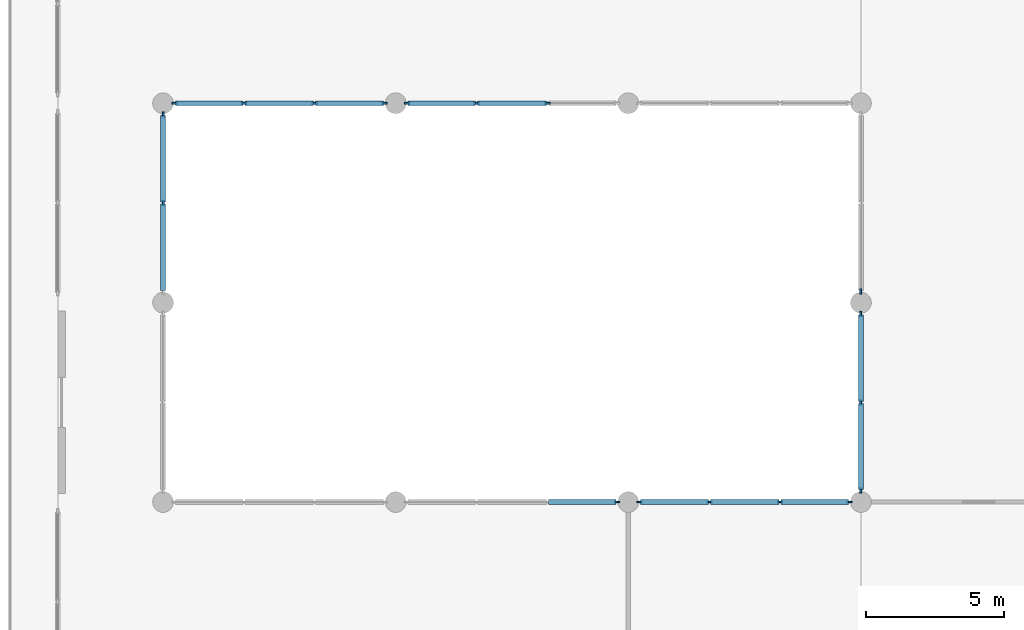
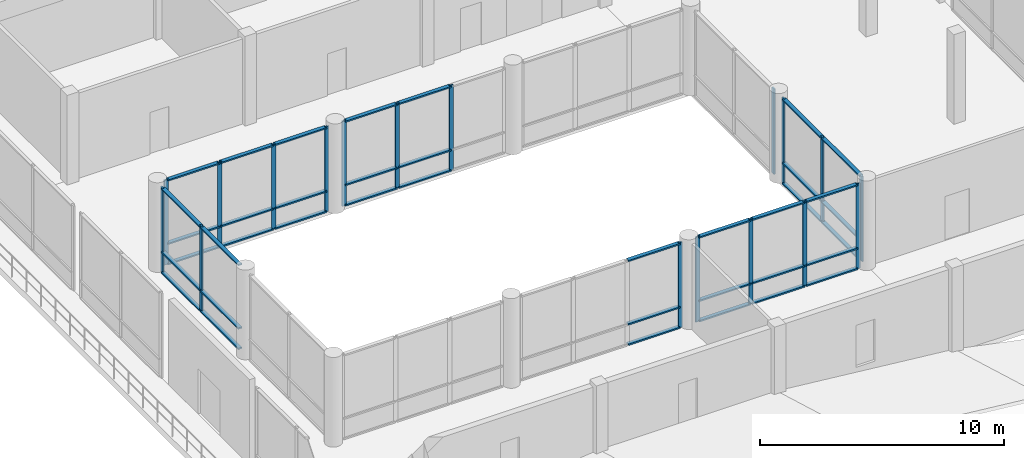
# One storey, part 3 of 17: 57 members, 7 elements without a shape of their own.
"""IFC4 building model written with IfcOpenShell, lengths in metres."""

from ifc_helpers import new_model, si_unit, direction, frame, origin, origin_2d, place, context, subcontext, project, spatial, rectangle, extrude, material, material_profile, profile_set, type_object, element, aggregate, save


model = new_model("IFC4")

# Units and contexts
model_context = context("Model", 3, precision=1e-05, world=origin(), true_north=direction((0.0, 1.0)))
body_context = subcontext(model_context, "Body", "Model", "MODEL_VIEW")
ifc_project = project(units=[si_unit("LENGTHUNIT", "METRE"), si_unit("AREAUNIT", "SQUARE_METRE"), si_unit("VOLUMEUNIT", "CUBIC_METRE"), si_unit("PLANEANGLEUNIT", "RADIAN"), si_unit("MASSUNIT", "GRAM", prefix="KILO")], contexts=[model_context])

# Site, building, storey
site_placement = place(None, origin())
site = spatial("IfcSite", under=ifc_project, at=site_placement, CompositionType="ELEMENT")
building_placement = place(site_placement, origin())
building = spatial("IfcBuilding", under=site, at=building_placement, Name="Kenerak Square Central Library", CompositionType="ELEMENT")
storey_placement = place(building_placement, frame((0.0, 0.0, 23.360107421875)))
storey = spatial("IfcBuildingStorey", under=building, at=storey_placement, Name="L05", CompositionType="ELEMENT", Elevation=23.360107421875)

# Curtain wall, member
ifc_material_1 = material(Name="Intumescent fire-resisting glazing EI 60", Category="glass")
curtain_wall_type_1 = type_object("IfcCurtainWallType", Name="Curtain Wall CW-AT60-76x42 7650x4255", PredefinedType="USERDEFINED", material=ifc_material_1)
curtain_wall_1_placement = place(storey_placement, origin())
curtain_wall_1 = element("IfcCurtainWall", 1, at=curtain_wall_1_placement, inside=storey, type_object=curtain_wall_type_1, Name="Atrium Fire-Rated Glazed Screen CW-AT60-76x42 L05 0188", ObjectType="CURTAIN WALL", PredefinedType="USERDEFINED")
ifc_material_2 = material(Name="Anodised aluminium 6063-T6", Category="aluminium")
ifc_material_profile_1 = material_profile(ifc_material_2, rectangle(XDim=0.070068359375, YDim=0.199951171875, at=origin_2d()), Name="AL MULLION 70x200")
ifc_profile_set_1 = profile_set([ifc_material_profile_1], Name="Anodised aluminium 6063-T6")
member_type_1 = type_object("IfcMemberType", Name="Fire-Rated Glazing Mullion CM-05 70x200", PredefinedType="MULLION", material=ifc_profile_set_1)
member_1_placement = place(storey_placement, frame((91.590087890625, 60.0, 0.0), z_axis=(0.0, 0.0, 1.0), x_axis=(0.0, 1.0, 0.0)))
member_1 = element("IfcMember", 2, at=member_1_placement, type_object=member_type_1, Name="CW-AT60-76x42 Mullion 4", PredefinedType="MULLION", context=body_context, shape_type="SweptSolid", body=[
    extrude(rectangle(XDim=0.070068359375, YDim=0.199951171875, at=origin_2d()), origin(), (0.0, 0.0, 1.0), 4.2548828125),
])

# Curtain wall, members
curtain_wall_2_placement = place(storey_placement, origin())
curtain_wall_2 = element("IfcCurtainWall", 3, at=curtain_wall_2_placement, inside=storey, type_object=curtain_wall_type_1, Name="Atrium Fire-Rated Glazed Screen CW-AT60-76x42 L05 0189", ObjectType="CURTAIN WALL", PredefinedType="USERDEFINED")
member_2_placement = place(storey_placement, frame((92.409912109375, 60.0, 0.0), z_axis=(0.0, 0.0, 1.0), x_axis=(0.0, 1.0, 0.0)))
member_2 = element("IfcMember", 4, at=member_2_placement, type_object=member_type_1, Name="CW-AT60-76x42 Mullion 1", PredefinedType="MULLION", context=body_context, shape_type="SweptSolid", body=[
    extrude(rectangle(XDim=0.070068359375, YDim=0.199951171875, at=origin_2d()), origin(), (0.0, 0.0, 1.0), 4.2548828125),
])
member_3_placement = place(storey_placement, frame((94.925048828125, 60.0, 0.0), z_axis=(0.0, 0.0, 1.0), x_axis=(0.0, 1.0, 0.0)))
member_3 = element("IfcMember", 5, at=member_3_placement, type_object=member_type_1, Name="CW-AT60-76x42 Mullion 2", PredefinedType="MULLION", context=body_context, shape_type="SweptSolid", body=[
    extrude(rectangle(XDim=0.070068359375, YDim=0.199951171875, at=origin_2d()), origin(), (0.0, 0.0, 1.0), 4.2548828125),
])
member_4_placement = place(storey_placement, frame((97.47509765625, 60.0, 0.0), z_axis=(0.0, 0.0, 1.0), x_axis=(0.0, 1.0, 0.0)))
member_4 = element("IfcMember", 6, at=member_4_placement, type_object=member_type_1, Name="CW-AT60-76x42 Mullion 3", PredefinedType="MULLION", context=body_context, shape_type="SweptSolid", body=[
    extrude(rectangle(XDim=0.070068359375, YDim=0.199951171875, at=origin_2d()), origin(), (0.0, 0.0, 1.0), 4.2548828125),
])
member_5_placement = place(storey_placement, frame((99.989990234375, 60.0, 0.0), z_axis=(0.0, 0.0, 1.0), x_axis=(0.0, 1.0, 0.0)))
member_5 = element("IfcMember", 7, at=member_5_placement, type_object=member_type_1, Name="CW-AT60-76x42 Mullion 4", PredefinedType="MULLION", context=body_context, shape_type="SweptSolid", body=[
    extrude(rectangle(XDim=0.070068359375, YDim=0.199951171875, at=origin_2d()), origin(), (0.0, 0.0, 1.0), 4.2548828125),
])

curtain_wall_type_2 = type_object("IfcCurtainWallType", Name="Curtain Wall CW-AT60-64x42 6450x4255", PredefinedType="USERDEFINED", material=ifc_material_1)
curtain_wall_3_placement = place(storey_placement, origin())
curtain_wall_3 = element("IfcCurtainWall", 8, at=curtain_wall_3_placement, inside=storey, type_object=curtain_wall_type_2, Name="Atrium Fire-Rated Glazed Screen CW-AT60-64x42 L05 0190", ObjectType="CURTAIN WALL", PredefinedType="USERDEFINED")
member_6_placement = place(storey_placement, frame((100.39990234375, 60.409912109375, 0.0), z_axis=(0.0, 0.0, 1.0), x_axis=(-1.0, 0.0, 0.0)))
member_6 = element("IfcMember", 9, at=member_6_placement, type_object=member_type_1, Name="CW-AT60-64x42 Mullion 1", PredefinedType="MULLION", context=body_context, shape_type="SweptSolid", body=[
    extrude(rectangle(XDim=0.070068359375, YDim=0.199951171875, at=origin_2d()), origin(), (0.0, 0.0, 1.0), 4.2548828125),
])
member_7_placement = place(storey_placement, frame((100.39990234375, 63.60009765625, 0.0), z_axis=(0.0, 0.0, 1.0), x_axis=(-1.0, 0.0, 0.0)))
member_7 = element("IfcMember", 10, at=member_7_placement, type_object=member_type_1, Name="CW-AT60-64x42 Mullion 2", PredefinedType="MULLION", context=body_context, shape_type="SweptSolid", body=[
    extrude(rectangle(XDim=0.070068359375, YDim=0.199951171875, at=origin_2d()), origin(), (0.0, 0.0, 1.0), 4.2548828125),
])
member_8_placement = place(storey_placement, frame((100.39990234375, 66.7900390625, 0.0), z_axis=(0.0, 0.0, 1.0), x_axis=(-1.0, 0.0, 0.0)))
member_8 = element("IfcMember", 11, at=member_8_placement, type_object=member_type_1, Name="CW-AT60-64x42 Mullion 3", PredefinedType="MULLION", context=body_context, shape_type="SweptSolid", body=[
    extrude(rectangle(XDim=0.070068359375, YDim=0.199951171875, at=origin_2d()), origin(), (0.0, 0.0, 1.0), 4.2548828125),
])

# Curtain wall, member
curtain_wall_4_placement = place(storey_placement, origin())
curtain_wall_4 = element("IfcCurtainWall", 12, at=curtain_wall_4_placement, inside=storey, type_object=curtain_wall_type_2, Name="Atrium Fire-Rated Glazed Screen CW-AT60-64x42 L05 0191", ObjectType="CURTAIN WALL", PredefinedType="USERDEFINED")
member_9_placement = place(storey_placement, frame((100.39990234375, 67.610107421875, 0.0), z_axis=(0.0, 0.0, 1.0), x_axis=(-1.0, 0.0, 0.0)))
member_9 = element("IfcMember", 13, at=member_9_placement, type_object=member_type_1, Name="CW-AT60-64x42 Mullion 1", PredefinedType="MULLION", context=body_context, shape_type="SweptSolid", body=[
    extrude(rectangle(XDim=0.070068359375, YDim=0.199951171875, at=origin_2d()), origin(), (0.0, 0.0, 1.0), 4.2548828125),
])
aggregate(curtain_wall_4, [member_9])

# Curtain wall, members
curtain_wall_5_placement = place(storey_placement, origin())
curtain_wall_5 = element("IfcCurtainWall", 14, at=curtain_wall_5_placement, inside=storey, type_object=curtain_wall_type_1, Name="Atrium Fire-Rated Glazed Screen CW-AT60-76x42 L05 0193", ObjectType="CURTAIN WALL", PredefinedType="USERDEFINED")
member_10_placement = place(storey_placement, frame((89.074951171875, 74.39990234375, 0.0), z_axis=(0.0, 0.0, 1.0), x_axis=(0.0, -1.0, 0.0)))
member_10 = element("IfcMember", 15, at=member_10_placement, type_object=member_type_1, Name="CW-AT60-76x42 Mullion 2", PredefinedType="MULLION", context=body_context, shape_type="SweptSolid", body=[
    extrude(rectangle(XDim=0.070068359375, YDim=0.199951171875, at=origin_2d()), origin(), (0.0, 0.0, 1.0), 4.2548828125),
])
member_11_placement = place(storey_placement, frame((86.52490234375, 74.39990234375, 0.0), z_axis=(0.0, 0.0, 1.0), x_axis=(0.0, -1.0, 0.0)))
member_11 = element("IfcMember", 16, at=member_11_placement, type_object=member_type_1, Name="CW-AT60-76x42 Mullion 3", PredefinedType="MULLION", context=body_context, shape_type="SweptSolid", body=[
    extrude(rectangle(XDim=0.070068359375, YDim=0.199951171875, at=origin_2d()), origin(), (0.0, 0.0, 1.0), 4.2548828125),
])
member_12_placement = place(storey_placement, frame((84.010009765625, 74.39990234375, 0.0), z_axis=(0.0, 0.0, 1.0), x_axis=(0.0, -1.0, 0.0)))
member_12 = element("IfcMember", 17, at=member_12_placement, type_object=member_type_1, Name="CW-AT60-76x42 Mullion 4", PredefinedType="MULLION", context=body_context, shape_type="SweptSolid", body=[
    extrude(rectangle(XDim=0.070068359375, YDim=0.199951171875, at=origin_2d()), origin(), (0.0, 0.0, 1.0), 4.2548828125),
])

curtain_wall_6_placement = place(storey_placement, origin())
curtain_wall_6 = element("IfcCurtainWall", 18, at=curtain_wall_6_placement, inside=storey, type_object=curtain_wall_type_1, Name="Atrium Fire-Rated Glazed Screen CW-AT60-76x42 L05 0194", ObjectType="CURTAIN WALL", PredefinedType="USERDEFINED")
member_13_placement = place(storey_placement, frame((83.18994140625, 74.39990234375, 0.0), z_axis=(0.0, 0.0, 1.0), x_axis=(0.0, -1.0, 0.0)))
member_13 = element("IfcMember", 19, at=member_13_placement, type_object=member_type_1, Name="CW-AT60-76x42 Mullion 1", PredefinedType="MULLION", context=body_context, shape_type="SweptSolid", body=[
    extrude(rectangle(XDim=0.070068359375, YDim=0.199951171875, at=origin_2d()), origin(), (0.0, 0.0, 1.0), 4.2548828125),
])
member_14_placement = place(storey_placement, frame((80.675048828125, 74.39990234375, 0.0), z_axis=(0.0, 0.0, 1.0), x_axis=(0.0, -1.0, 0.0)))
member_14 = element("IfcMember", 20, at=member_14_placement, type_object=member_type_1, Name="CW-AT60-76x42 Mullion 2", PredefinedType="MULLION", context=body_context, shape_type="SweptSolid", body=[
    extrude(rectangle(XDim=0.070068359375, YDim=0.199951171875, at=origin_2d()), origin(), (0.0, 0.0, 1.0), 4.2548828125),
])
member_15_placement = place(storey_placement, frame((78.125, 74.39990234375, 0.0), z_axis=(0.0, 0.0, 1.0), x_axis=(0.0, -1.0, 0.0)))
member_15 = element("IfcMember", 21, at=member_15_placement, type_object=member_type_1, Name="CW-AT60-76x42 Mullion 3", PredefinedType="MULLION", context=body_context, shape_type="SweptSolid", body=[
    extrude(rectangle(XDim=0.070068359375, YDim=0.199951171875, at=origin_2d()), origin(), (0.0, 0.0, 1.0), 4.2548828125),
])
member_16_placement = place(storey_placement, frame((75.610107421875, 74.39990234375, 0.0), z_axis=(0.0, 0.0, 1.0), x_axis=(0.0, -1.0, 0.0)))
member_16 = element("IfcMember", 22, at=member_16_placement, type_object=member_type_1, Name="CW-AT60-76x42 Mullion 4", PredefinedType="MULLION", context=body_context, shape_type="SweptSolid", body=[
    extrude(rectangle(XDim=0.070068359375, YDim=0.199951171875, at=origin_2d()), origin(), (0.0, 0.0, 1.0), 4.2548828125),
])

curtain_wall_7_placement = place(storey_placement, origin())
curtain_wall_7 = element("IfcCurtainWall", 23, at=curtain_wall_7_placement, inside=storey, type_object=curtain_wall_type_2, Name="Atrium Fire-Rated Glazed Screen CW-AT60-64x42 L05 0195", ObjectType="CURTAIN WALL", PredefinedType="USERDEFINED")
member_17_placement = place(storey_placement, frame((75.199951171875, 73.989990234375, 0.0), z_axis=(0.0, 0.0, 1.0), x_axis=(1.0, 0.0, 0.0)))
member_17 = element("IfcMember", 24, at=member_17_placement, type_object=member_type_1, Name="CW-AT60-64x42 Mullion 1", PredefinedType="MULLION", context=body_context, shape_type="SweptSolid", body=[
    extrude(rectangle(XDim=0.070068359375, YDim=0.199951171875, at=origin_2d()), origin(), (0.0, 0.0, 1.0), 4.2548828125),
])
member_18_placement = place(storey_placement, frame((75.199951171875, 70.800048828125, 0.0), z_axis=(0.0, 0.0, 1.0), x_axis=(1.0, 0.0, 0.0)))
member_18 = element("IfcMember", 25, at=member_18_placement, type_object=member_type_1, Name="CW-AT60-64x42 Mullion 2", PredefinedType="MULLION", context=body_context, shape_type="SweptSolid", body=[
    extrude(rectangle(XDim=0.070068359375, YDim=0.199951171875, at=origin_2d()), origin(), (0.0, 0.0, 1.0), 4.2548828125),
])

# Member
ifc_material_profile_2 = material_profile(ifc_material_2, rectangle(XDim=0.179931640625, YDim=0.070068359375, at=origin_2d()), Name="AL TRANSOM 180x70")
ifc_profile_set_2 = profile_set([ifc_material_profile_2], Name="Anodised aluminium 6063-T6")
member_type_2 = type_object("IfcMemberType", Name="Fire-Rated Glazing Transom CT-15 180x70", PredefinedType="USERDEFINED", material=ifc_profile_set_2)
member_19_placement = place(storey_placement, frame((89.110107421875, 60.0, 0.034912109375), z_axis=(1.0, 0.0, 0.0), x_axis=(0.0, 1.0, 0.0)))
member_19 = element("IfcMember", 26, at=member_19_placement, type_object=member_type_2, Name="CW-AT60-76x42 Transom 3.1", ObjectType="TRANSOM", PredefinedType="USERDEFINED", context=body_context, shape_type="SweptSolid", body=[
    extrude(rectangle(XDim=0.179931640625, YDim=0.070068359375, at=origin_2d()), origin(), (0.0, 0.0, 1.0), 2.44482421875),
])

member_20_placement = place(storey_placement, frame((89.110107421875, 60.0, 1.0498046875), z_axis=(1.0, 0.0, 0.0), x_axis=(0.0, 1.0, 0.0)))
member_20 = element("IfcMember", 27, at=member_20_placement, type_object=member_type_2, Name="CW-AT60-76x42 Transom 3.2", ObjectType="TRANSOM", PredefinedType="USERDEFINED", context=body_context, shape_type="SweptSolid", body=[
    extrude(rectangle(XDim=0.179931640625, YDim=0.070068359375, at=origin_2d()), origin(), (0.0, 0.0, 1.0), 2.44482421875),
])

member_21_placement = place(storey_placement, frame((89.110107421875, 60.0, 4.219970703125), z_axis=(1.0, 0.0, 0.0), x_axis=(0.0, 1.0, 0.0)))
member_21 = element("IfcMember", 28, at=member_21_placement, type_object=member_type_2, Name="CW-AT60-76x42 Transom 3.3", ObjectType="TRANSOM", PredefinedType="USERDEFINED", context=body_context, shape_type="SweptSolid", body=[
    extrude(rectangle(XDim=0.179931640625, YDim=0.070068359375, at=origin_2d()), origin(), (0.0, 0.0, 1.0), 2.44482421875),
])

aggregate(curtain_wall_1, [member_1, member_19, member_20, member_21])

member_22_placement = place(storey_placement, frame((92.445068359375, 60.0, 0.034912109375), z_axis=(1.0, 0.0, 0.0), x_axis=(0.0, 1.0, 0.0)))
member_22 = element("IfcMember", 29, at=member_22_placement, type_object=member_type_2, Name="CW-AT60-76x42 Transom 1.1", ObjectType="TRANSOM", PredefinedType="USERDEFINED", context=body_context, shape_type="SweptSolid", body=[
    extrude(rectangle(XDim=0.179931640625, YDim=0.070068359375, at=origin_2d()), origin(), (0.0, 0.0, 1.0), 2.44482421875),
])

member_23_placement = place(storey_placement, frame((92.445068359375, 60.0, 1.0498046875), z_axis=(1.0, 0.0, 0.0), x_axis=(0.0, 1.0, 0.0)))
member_23 = element("IfcMember", 30, at=member_23_placement, type_object=member_type_2, Name="CW-AT60-76x42 Transom 1.2", ObjectType="TRANSOM", PredefinedType="USERDEFINED", context=body_context, shape_type="SweptSolid", body=[
    extrude(rectangle(XDim=0.179931640625, YDim=0.070068359375, at=origin_2d()), origin(), (0.0, 0.0, 1.0), 2.44482421875),
])

member_24_placement = place(storey_placement, frame((92.445068359375, 60.0, 4.219970703125), z_axis=(1.0, 0.0, 0.0), x_axis=(0.0, 1.0, 0.0)))
member_24 = element("IfcMember", 31, at=member_24_placement, type_object=member_type_2, Name="CW-AT60-76x42 Transom 1.3", ObjectType="TRANSOM", PredefinedType="USERDEFINED", context=body_context, shape_type="SweptSolid", body=[
    extrude(rectangle(XDim=0.179931640625, YDim=0.070068359375, at=origin_2d()), origin(), (0.0, 0.0, 1.0), 2.44482421875),
])

member_25_placement = place(storey_placement, frame((94.9599609375, 60.0, 0.034912109375), z_axis=(1.0, 0.0, 0.0), x_axis=(0.0, 1.0, 0.0)))
member_25 = element("IfcMember", 32, at=member_25_placement, type_object=member_type_2, Name="CW-AT60-76x42 Transom 2.1", ObjectType="TRANSOM", PredefinedType="USERDEFINED", context=body_context, shape_type="SweptSolid", body=[
    extrude(rectangle(XDim=0.179931640625, YDim=0.070068359375, at=origin_2d()), origin(), (0.0, 0.0, 1.0), 2.47998046875),
])

member_26_placement = place(storey_placement, frame((94.9599609375, 60.0, 1.0498046875), z_axis=(1.0, 0.0, 0.0), x_axis=(0.0, 1.0, 0.0)))
member_26 = element("IfcMember", 33, at=member_26_placement, type_object=member_type_2, Name="CW-AT60-76x42 Transom 2.2", ObjectType="TRANSOM", PredefinedType="USERDEFINED", context=body_context, shape_type="SweptSolid", body=[
    extrude(rectangle(XDim=0.179931640625, YDim=0.070068359375, at=origin_2d()), origin(), (0.0, 0.0, 1.0), 2.47998046875),
])

member_27_placement = place(storey_placement, frame((94.9599609375, 60.0, 4.219970703125), z_axis=(1.0, 0.0, 0.0), x_axis=(0.0, 1.0, 0.0)))
member_27 = element("IfcMember", 34, at=member_27_placement, type_object=member_type_2, Name="CW-AT60-76x42 Transom 2.3", ObjectType="TRANSOM", PredefinedType="USERDEFINED", context=body_context, shape_type="SweptSolid", body=[
    extrude(rectangle(XDim=0.179931640625, YDim=0.070068359375, at=origin_2d()), origin(), (0.0, 0.0, 1.0), 2.47998046875),
])

member_28_placement = place(storey_placement, frame((97.510009765625, 60.0, 0.034912109375), z_axis=(1.0, 0.0, 0.0), x_axis=(0.0, 1.0, 0.0)))
member_28 = element("IfcMember", 35, at=member_28_placement, type_object=member_type_2, Name="CW-AT60-76x42 Transom 3.1", ObjectType="TRANSOM", PredefinedType="USERDEFINED", context=body_context, shape_type="SweptSolid", body=[
    extrude(rectangle(XDim=0.179931640625, YDim=0.070068359375, at=origin_2d()), origin(), (0.0, 0.0, 1.0), 2.445068359375),
])

member_29_placement = place(storey_placement, frame((97.510009765625, 60.0, 1.0498046875), z_axis=(1.0, 0.0, 0.0), x_axis=(0.0, 1.0, 0.0)))
member_29 = element("IfcMember", 36, at=member_29_placement, type_object=member_type_2, Name="CW-AT60-76x42 Transom 3.2", ObjectType="TRANSOM", PredefinedType="USERDEFINED", context=body_context, shape_type="SweptSolid", body=[
    extrude(rectangle(XDim=0.179931640625, YDim=0.070068359375, at=origin_2d()), origin(), (0.0, 0.0, 1.0), 2.445068359375),
])

member_30_placement = place(storey_placement, frame((97.510009765625, 60.0, 4.219970703125), z_axis=(1.0, 0.0, 0.0), x_axis=(0.0, 1.0, 0.0)))
member_30 = element("IfcMember", 37, at=member_30_placement, type_object=member_type_2, Name="CW-AT60-76x42 Transom 3.3", ObjectType="TRANSOM", PredefinedType="USERDEFINED", context=body_context, shape_type="SweptSolid", body=[
    extrude(rectangle(XDim=0.179931640625, YDim=0.070068359375, at=origin_2d()), origin(), (0.0, 0.0, 1.0), 2.445068359375),
])

aggregate(curtain_wall_2, [member_2, member_3, member_4, member_5, member_22, member_23, member_24, member_25, member_26, member_27, member_28, member_29, member_30])

member_31_placement = place(storey_placement, frame((100.39990234375, 60.445068359375, 0.034912109375), z_axis=(0.0, 1.0, 0.0), x_axis=(-1.0, 0.0, 0.0)))
member_31 = element("IfcMember", 38, at=member_31_placement, type_object=member_type_2, Name="CW-AT60-64x42 Transom 1.1", ObjectType="TRANSOM", PredefinedType="USERDEFINED", context=body_context, shape_type="SweptSolid", body=[
    extrude(rectangle(XDim=0.179931640625, YDim=0.070068359375, at=origin_2d()), origin(), (0.0, 0.0, 1.0), 3.119873046875),
])

member_32_placement = place(storey_placement, frame((100.39990234375, 60.445068359375, 1.0498046875), z_axis=(0.0, 1.0, 0.0), x_axis=(-1.0, 0.0, 0.0)))
member_32 = element("IfcMember", 39, at=member_32_placement, type_object=member_type_2, Name="CW-AT60-64x42 Transom 1.2", ObjectType="TRANSOM", PredefinedType="USERDEFINED", context=body_context, shape_type="SweptSolid", body=[
    extrude(rectangle(XDim=0.179931640625, YDim=0.070068359375, at=origin_2d()), origin(), (0.0, 0.0, 1.0), 3.119873046875),
])

member_33_placement = place(storey_placement, frame((100.39990234375, 60.445068359375, 4.219970703125), z_axis=(0.0, 1.0, 0.0), x_axis=(-1.0, 0.0, 0.0)))
member_33 = element("IfcMember", 40, at=member_33_placement, type_object=member_type_2, Name="CW-AT60-64x42 Transom 1.3", ObjectType="TRANSOM", PredefinedType="USERDEFINED", context=body_context, shape_type="SweptSolid", body=[
    extrude(rectangle(XDim=0.179931640625, YDim=0.070068359375, at=origin_2d()), origin(), (0.0, 0.0, 1.0), 3.119873046875),
])

member_34_placement = place(storey_placement, frame((100.39990234375, 63.635009765625, 0.034912109375), z_axis=(0.0, 1.0, 0.0), x_axis=(-1.0, 0.0, 0.0)))
member_34 = element("IfcMember", 41, at=member_34_placement, type_object=member_type_2, Name="CW-AT60-64x42 Transom 2.1", ObjectType="TRANSOM", PredefinedType="USERDEFINED", context=body_context, shape_type="SweptSolid", body=[
    extrude(rectangle(XDim=0.179931640625, YDim=0.070068359375, at=origin_2d()), origin(), (0.0, 0.0, 1.0), 3.119873046875),
])

member_35_placement = place(storey_placement, frame((100.39990234375, 63.635009765625, 1.0498046875), z_axis=(0.0, 1.0, 0.0), x_axis=(-1.0, 0.0, 0.0)))
member_35 = element("IfcMember", 42, at=member_35_placement, type_object=member_type_2, Name="CW-AT60-64x42 Transom 2.2", ObjectType="TRANSOM", PredefinedType="USERDEFINED", context=body_context, shape_type="SweptSolid", body=[
    extrude(rectangle(XDim=0.179931640625, YDim=0.070068359375, at=origin_2d()), origin(), (0.0, 0.0, 1.0), 3.119873046875),
])

member_36_placement = place(storey_placement, frame((100.39990234375, 63.635009765625, 4.219970703125), z_axis=(0.0, 1.0, 0.0), x_axis=(-1.0, 0.0, 0.0)))
member_36 = element("IfcMember", 43, at=member_36_placement, type_object=member_type_2, Name="CW-AT60-64x42 Transom 2.3", ObjectType="TRANSOM", PredefinedType="USERDEFINED", context=body_context, shape_type="SweptSolid", body=[
    extrude(rectangle(XDim=0.179931640625, YDim=0.070068359375, at=origin_2d()), origin(), (0.0, 0.0, 1.0), 3.119873046875),
])

aggregate(curtain_wall_3, [member_6, member_7, member_8, member_31, member_32, member_33, member_34, member_35, member_36])

member_37_placement = place(storey_placement, frame((89.0400390625, 74.39990234375, 0.034912109375), z_axis=(-1.0, 0.0, 0.0), x_axis=(0.0, -1.0, 0.0)))
member_37 = element("IfcMember", 44, at=member_37_placement, type_object=member_type_2, Name="CW-AT60-76x42 Transom 2.1", ObjectType="TRANSOM", PredefinedType="USERDEFINED", context=body_context, shape_type="SweptSolid", body=[
    extrude(rectangle(XDim=0.179931640625, YDim=0.070068359375, at=origin_2d()), origin(), (0.0, 0.0, 1.0), 2.47998046875),
])

member_38_placement = place(storey_placement, frame((89.0400390625, 74.39990234375, 1.0498046875), z_axis=(-1.0, 0.0, 0.0), x_axis=(0.0, -1.0, 0.0)))
member_38 = element("IfcMember", 45, at=member_38_placement, type_object=member_type_2, Name="CW-AT60-76x42 Transom 2.2", ObjectType="TRANSOM", PredefinedType="USERDEFINED", context=body_context, shape_type="SweptSolid", body=[
    extrude(rectangle(XDim=0.179931640625, YDim=0.070068359375, at=origin_2d()), origin(), (0.0, 0.0, 1.0), 2.47998046875),
])

member_39_placement = place(storey_placement, frame((89.0400390625, 74.39990234375, 4.219970703125), z_axis=(-1.0, 0.0, 0.0), x_axis=(0.0, -1.0, 0.0)))
member_39 = element("IfcMember", 46, at=member_39_placement, type_object=member_type_2, Name="CW-AT60-76x42 Transom 2.3", ObjectType="TRANSOM", PredefinedType="USERDEFINED", context=body_context, shape_type="SweptSolid", body=[
    extrude(rectangle(XDim=0.179931640625, YDim=0.070068359375, at=origin_2d()), origin(), (0.0, 0.0, 1.0), 2.47998046875),
])

member_40_placement = place(storey_placement, frame((86.489990234375, 74.39990234375, 0.034912109375), z_axis=(-1.0, 0.0, 0.0), x_axis=(0.0, -1.0, 0.0)))
member_40 = element("IfcMember", 47, at=member_40_placement, type_object=member_type_2, Name="CW-AT60-76x42 Transom 3.1", ObjectType="TRANSOM", PredefinedType="USERDEFINED", context=body_context, shape_type="SweptSolid", body=[
    extrude(rectangle(XDim=0.179931640625, YDim=0.070068359375, at=origin_2d()), origin(), (0.0, 0.0, 1.0), 2.445068359375),
])

member_41_placement = place(storey_placement, frame((86.489990234375, 74.39990234375, 1.0498046875), z_axis=(-1.0, 0.0, 0.0), x_axis=(0.0, -1.0, 0.0)))
member_41 = element("IfcMember", 48, at=member_41_placement, type_object=member_type_2, Name="CW-AT60-76x42 Transom 3.2", ObjectType="TRANSOM", PredefinedType="USERDEFINED", context=body_context, shape_type="SweptSolid", body=[
    extrude(rectangle(XDim=0.179931640625, YDim=0.070068359375, at=origin_2d()), origin(), (0.0, 0.0, 1.0), 2.445068359375),
])

member_42_placement = place(storey_placement, frame((86.489990234375, 74.39990234375, 4.219970703125), z_axis=(-1.0, 0.0, 0.0), x_axis=(0.0, -1.0, 0.0)))
member_42 = element("IfcMember", 49, at=member_42_placement, type_object=member_type_2, Name="CW-AT60-76x42 Transom 3.3", ObjectType="TRANSOM", PredefinedType="USERDEFINED", context=body_context, shape_type="SweptSolid", body=[
    extrude(rectangle(XDim=0.179931640625, YDim=0.070068359375, at=origin_2d()), origin(), (0.0, 0.0, 1.0), 2.445068359375),
])

aggregate(curtain_wall_5, [member_10, member_11, member_12, member_37, member_38, member_39, member_40, member_41, member_42])

member_43_placement = place(storey_placement, frame((83.155029296875, 74.39990234375, 0.034912109375), z_axis=(-1.0, 0.0, 0.0), x_axis=(0.0, -1.0, 0.0)))
member_43 = element("IfcMember", 50, at=member_43_placement, type_object=member_type_2, Name="CW-AT60-76x42 Transom 1.1", ObjectType="TRANSOM", PredefinedType="USERDEFINED", context=body_context, shape_type="SweptSolid", body=[
    extrude(rectangle(XDim=0.179931640625, YDim=0.070068359375, at=origin_2d()), origin(), (0.0, 0.0, 1.0), 2.445068359375),
])

member_44_placement = place(storey_placement, frame((83.155029296875, 74.39990234375, 1.0498046875), z_axis=(-1.0, 0.0, 0.0), x_axis=(0.0, -1.0, 0.0)))
member_44 = element("IfcMember", 51, at=member_44_placement, type_object=member_type_2, Name="CW-AT60-76x42 Transom 1.2", ObjectType="TRANSOM", PredefinedType="USERDEFINED", context=body_context, shape_type="SweptSolid", body=[
    extrude(rectangle(XDim=0.179931640625, YDim=0.070068359375, at=origin_2d()), origin(), (0.0, 0.0, 1.0), 2.445068359375),
])

member_45_placement = place(storey_placement, frame((83.155029296875, 74.39990234375, 4.219970703125), z_axis=(-1.0, 0.0, 0.0), x_axis=(0.0, -1.0, 0.0)))
member_45 = element("IfcMember", 52, at=member_45_placement, type_object=member_type_2, Name="CW-AT60-76x42 Transom 1.3", ObjectType="TRANSOM", PredefinedType="USERDEFINED", context=body_context, shape_type="SweptSolid", body=[
    extrude(rectangle(XDim=0.179931640625, YDim=0.070068359375, at=origin_2d()), origin(), (0.0, 0.0, 1.0), 2.445068359375),
])

member_46_placement = place(storey_placement, frame((80.639892578125, 74.39990234375, 0.034912109375), z_axis=(-1.0, 0.0, 0.0), x_axis=(0.0, -1.0, 0.0)))
member_46 = element("IfcMember", 53, at=member_46_placement, type_object=member_type_2, Name="CW-AT60-76x42 Transom 2.1", ObjectType="TRANSOM", PredefinedType="USERDEFINED", context=body_context, shape_type="SweptSolid", body=[
    extrude(rectangle(XDim=0.179931640625, YDim=0.070068359375, at=origin_2d()), origin(), (0.0, 0.0, 1.0), 2.47998046875),
])

member_47_placement = place(storey_placement, frame((80.639892578125, 74.39990234375, 1.0498046875), z_axis=(-1.0, 0.0, 0.0), x_axis=(0.0, -1.0, 0.0)))
member_47 = element("IfcMember", 54, at=member_47_placement, type_object=member_type_2, Name="CW-AT60-76x42 Transom 2.2", ObjectType="TRANSOM", PredefinedType="USERDEFINED", context=body_context, shape_type="SweptSolid", body=[
    extrude(rectangle(XDim=0.179931640625, YDim=0.070068359375, at=origin_2d()), origin(), (0.0, 0.0, 1.0), 2.47998046875),
])

member_48_placement = place(storey_placement, frame((80.639892578125, 74.39990234375, 4.219970703125), z_axis=(-1.0, 0.0, 0.0), x_axis=(0.0, -1.0, 0.0)))
member_48 = element("IfcMember", 55, at=member_48_placement, type_object=member_type_2, Name="CW-AT60-76x42 Transom 2.3", ObjectType="TRANSOM", PredefinedType="USERDEFINED", context=body_context, shape_type="SweptSolid", body=[
    extrude(rectangle(XDim=0.179931640625, YDim=0.070068359375, at=origin_2d()), origin(), (0.0, 0.0, 1.0), 2.47998046875),
])

member_49_placement = place(storey_placement, frame((78.090087890625, 74.39990234375, 0.034912109375), z_axis=(-1.0, 0.0, 0.0), x_axis=(0.0, -1.0, 0.0)))
member_49 = element("IfcMember", 56, at=member_49_placement, type_object=member_type_2, Name="CW-AT60-76x42 Transom 3.1", ObjectType="TRANSOM", PredefinedType="USERDEFINED", context=body_context, shape_type="SweptSolid", body=[
    extrude(rectangle(XDim=0.179931640625, YDim=0.070068359375, at=origin_2d()), origin(), (0.0, 0.0, 1.0), 2.445068359375),
])

member_50_placement = place(storey_placement, frame((78.090087890625, 74.39990234375, 1.0498046875), z_axis=(-1.0, 0.0, 0.0), x_axis=(0.0, -1.0, 0.0)))
member_50 = element("IfcMember", 57, at=member_50_placement, type_object=member_type_2, Name="CW-AT60-76x42 Transom 3.2", ObjectType="TRANSOM", PredefinedType="USERDEFINED", context=body_context, shape_type="SweptSolid", body=[
    extrude(rectangle(XDim=0.179931640625, YDim=0.070068359375, at=origin_2d()), origin(), (0.0, 0.0, 1.0), 2.445068359375),
])

member_51_placement = place(storey_placement, frame((78.090087890625, 74.39990234375, 4.219970703125), z_axis=(-1.0, 0.0, 0.0), x_axis=(0.0, -1.0, 0.0)))
member_51 = element("IfcMember", 58, at=member_51_placement, type_object=member_type_2, Name="CW-AT60-76x42 Transom 3.3", ObjectType="TRANSOM", PredefinedType="USERDEFINED", context=body_context, shape_type="SweptSolid", body=[
    extrude(rectangle(XDim=0.179931640625, YDim=0.070068359375, at=origin_2d()), origin(), (0.0, 0.0, 1.0), 2.445068359375),
])

aggregate(curtain_wall_6, [member_13, member_14, member_15, member_16, member_43, member_44, member_45, member_46, member_47, member_48, member_49, member_50, member_51])

member_52_placement = place(storey_placement, frame((75.199951171875, 73.955078125, 0.034912109375), z_axis=(0.0, -1.0, 0.0), x_axis=(1.0, 0.0, 0.0)))
member_52 = element("IfcMember", 59, at=member_52_placement, type_object=member_type_2, Name="CW-AT60-64x42 Transom 1.1", ObjectType="TRANSOM", PredefinedType="USERDEFINED", context=body_context, shape_type="SweptSolid", body=[
    extrude(rectangle(XDim=0.179931640625, YDim=0.070068359375, at=origin_2d()), origin(), (0.0, 0.0, 1.0), 3.1201171875),
])

member_53_placement = place(storey_placement, frame((75.199951171875, 73.955078125, 1.0498046875), z_axis=(0.0, -1.0, 0.0), x_axis=(1.0, 0.0, 0.0)))
member_53 = element("IfcMember", 60, at=member_53_placement, type_object=member_type_2, Name="CW-AT60-64x42 Transom 1.2", ObjectType="TRANSOM", PredefinedType="USERDEFINED", context=body_context, shape_type="SweptSolid", body=[
    extrude(rectangle(XDim=0.179931640625, YDim=0.070068359375, at=origin_2d()), origin(), (0.0, 0.0, 1.0), 3.1201171875),
])

member_54_placement = place(storey_placement, frame((75.199951171875, 73.955078125, 4.219970703125), z_axis=(0.0, -1.0, 0.0), x_axis=(1.0, 0.0, 0.0)))
member_54 = element("IfcMember", 61, at=member_54_placement, type_object=member_type_2, Name="CW-AT60-64x42 Transom 1.3", ObjectType="TRANSOM", PredefinedType="USERDEFINED", context=body_context, shape_type="SweptSolid", body=[
    extrude(rectangle(XDim=0.179931640625, YDim=0.070068359375, at=origin_2d()), origin(), (0.0, 0.0, 1.0), 3.1201171875),
])

member_55_placement = place(storey_placement, frame((75.199951171875, 70.764892578125, 0.034912109375), z_axis=(0.0, -1.0, 0.0), x_axis=(1.0, 0.0, 0.0)))
member_55 = element("IfcMember", 62, at=member_55_placement, type_object=member_type_2, Name="CW-AT60-64x42 Transom 2.1", ObjectType="TRANSOM", PredefinedType="USERDEFINED", context=body_context, shape_type="SweptSolid", body=[
    extrude(rectangle(XDim=0.179931640625, YDim=0.070068359375, at=origin_2d()), origin(), (0.0, 0.0, 1.0), 3.119873046875),
])

member_56_placement = place(storey_placement, frame((75.199951171875, 70.764892578125, 1.0498046875), z_axis=(0.0, -1.0, 0.0), x_axis=(1.0, 0.0, 0.0)))
member_56 = element("IfcMember", 63, at=member_56_placement, type_object=member_type_2, Name="CW-AT60-64x42 Transom 2.2", ObjectType="TRANSOM", PredefinedType="USERDEFINED", context=body_context, shape_type="SweptSolid", body=[
    extrude(rectangle(XDim=0.179931640625, YDim=0.070068359375, at=origin_2d()), origin(), (0.0, 0.0, 1.0), 3.119873046875),
])

member_57_placement = place(storey_placement, frame((75.199951171875, 70.764892578125, 4.219970703125), z_axis=(0.0, -1.0, 0.0), x_axis=(1.0, 0.0, 0.0)))
member_57 = element("IfcMember", 64, at=member_57_placement, type_object=member_type_2, Name="CW-AT60-64x42 Transom 2.3", ObjectType="TRANSOM", PredefinedType="USERDEFINED", context=body_context, shape_type="SweptSolid", body=[
    extrude(rectangle(XDim=0.179931640625, YDim=0.070068359375, at=origin_2d()), origin(), (0.0, 0.0, 1.0), 3.119873046875),
])

aggregate(curtain_wall_7, [member_17, member_18, member_52, member_53, member_54, member_55, member_56, member_57])

save(model, "model.ifc")
